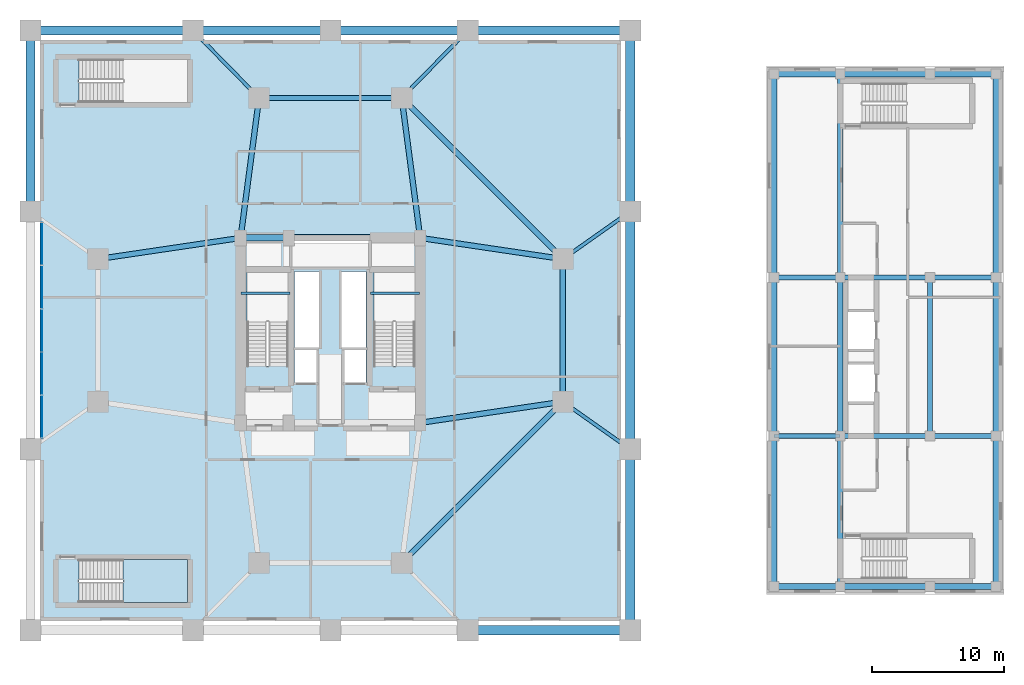
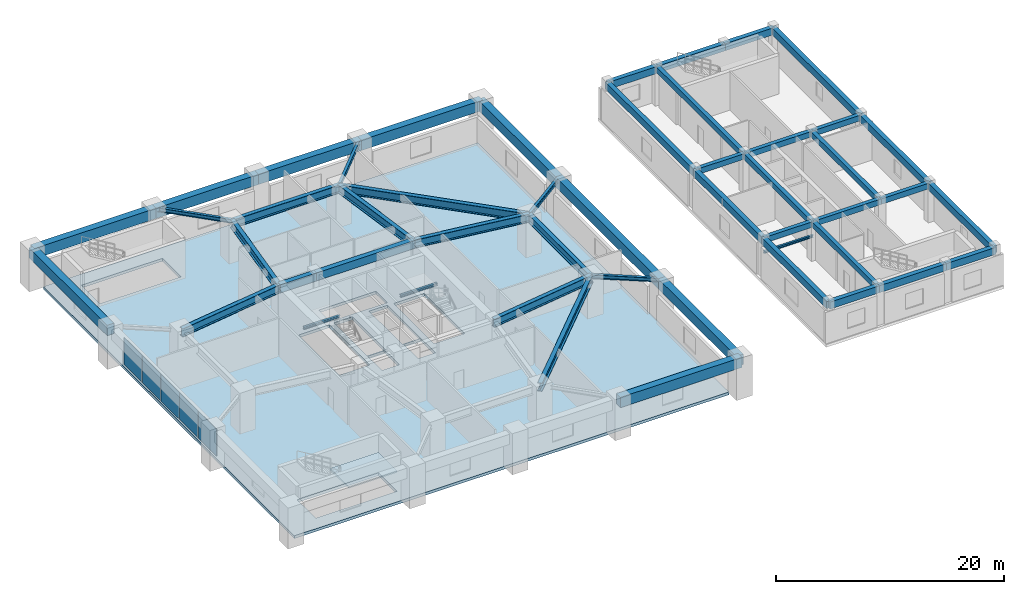
# One storey, part 7 of 16: 49 beams, 5 plates, 2 slabs, 2 elements without a shape of their own.
"""IFC4 building model written with IfcOpenShell, lengths in metres."""

from ifc_helpers import new_model, si_unit, direction, frame, origin, origin_2d, place, context, subcontext, project, spatial, polyline, rectangle, i_section, outline, extrude, source, transform, mapped, material, layer, layer_set, material_profile, profile_set, type_object, element, aggregate, save


model = new_model("IFC4")

# Units and contexts
model_context = context("Model", 3, precision=1e-05, world=origin(), true_north=direction((0.0, 1.0)))
body_context = subcontext(model_context, "Body", "Model", "MODEL_VIEW")
ifc_project = project(units=[si_unit("LENGTHUNIT", "METRE"), si_unit("AREAUNIT", "SQUARE_METRE"), si_unit("VOLUMEUNIT", "CUBIC_METRE"), si_unit("PLANEANGLEUNIT", "RADIAN"), si_unit("MASSUNIT", "GRAM", prefix="KILO")], contexts=[model_context])

# Site, building, storey
site_placement = place(None, origin())
site = spatial("IfcSite", under=ifc_project, at=site_placement, CompositionType="ELEMENT")
building_placement = place(site_placement, origin())
building = spatial("IfcBuilding", under=site, at=building_placement, Name="Veraguas Prism Commons", CompositionType="ELEMENT")
storey_placement = place(building_placement, frame((0.0, 0.0, 14.0)))
storey = spatial("IfcBuildingStorey", under=building, at=storey_placement, Name="L03", CompositionType="ELEMENT", Elevation=14.0)

# Beams
ifc_material_1 = material(Name="Concrete C50/60", Category="concrete")
ifc_material_profile_1 = material_profile(ifc_material_1, rectangle(XDim=0.39990234375, YDim=0.60009765625, at=origin_2d()), Name="RC400X600")
ifc_profile_set_1 = profile_set([ifc_material_profile_1], Name="Concrete C50/60")
beam_type_1 = type_object("IfcBeamType", Name="Clinic Secondary Beam RC 400x600", PredefinedType="BEAM", material=ifc_profile_set_1)
beam_1_placement = place(storey_placement, frame((57.60009765625, 16.0, 3.800048828125), z_axis=(1.0, 0.0, 0.0), x_axis=(0.0, 1.0, 0.0)))
element("IfcBeam", 1, at=beam_1_placement, inside=storey, type_object=beam_type_1, Name="Health Centre Beam L03-HCX04", PredefinedType="BEAM", context=body_context, shape_type="SweptSolid", body=[
    extrude(rectangle(XDim=0.39990234375, YDim=0.60009765625, at=origin_2d()), origin(), (0.0, 0.0, 1.0), 5.0),
])
beam_2_placement = place(storey_placement, frame((62.60009765625, 16.0, 3.800048828125), z_axis=(1.0, 0.0, 0.0), x_axis=(0.0, 1.0, 0.0)))
element("IfcBeam", 2, at=beam_2_placement, inside=storey, type_object=beam_type_1, Name="Health Centre Beam L03-HCX05", PredefinedType="BEAM", context=body_context, shape_type="SweptSolid", body=[
    extrude(rectangle(XDim=0.39990234375, YDim=0.60009765625, at=origin_2d()), origin(), (0.0, 0.0, 1.0), 6.7998046875),
])
for number, where, z_axis, x_axis, name in (
    (3, (69.39990234375, 16.0, 3.800048828125), (1.0, 0.0, 0.0), (0.0, 1.0, 0.0), "Health Centre Beam L03-HCX06"),
    (4, (57.60009765625, 28.0, 3.800048828125), (1.0, 0.0, 0.0), (0.0, 1.0, 0.0), "Health Centre Beam L03-HCX07"),
):
    element("IfcBeam", number, at=place(storey_placement, frame(where, z_axis=z_axis, x_axis=x_axis)), inside=storey, type_object=beam_type_1, Name=name, PredefinedType="BEAM", context=body_context, shape_type="SweptSolid", body=[
        extrude(rectangle(XDim=0.39990234375, YDim=0.60009765625, at=origin_2d()), origin(), (0.0, 0.0, 1.0), 5.0),
    ])
beam_3_placement = place(storey_placement, frame((62.60009765625, 28.0, 3.800048828125), z_axis=(1.0, 0.0, 0.0), x_axis=(0.0, 1.0, 0.0)))
element("IfcBeam", 5, at=beam_3_placement, inside=storey, type_object=beam_type_1, Name="Health Centre Beam L03-HCX08", PredefinedType="BEAM", context=body_context, shape_type="SweptSolid", body=[
    extrude(rectangle(XDim=0.39990234375, YDim=0.60009765625, at=origin_2d()), origin(), (0.0, 0.0, 1.0), 6.7998046875),
])
beam_4_placement = place(storey_placement, frame((69.39990234375, 28.0, 3.800048828125), z_axis=(1.0, 0.0, 0.0), x_axis=(0.0, 1.0, 0.0)))
element("IfcBeam", 6, at=beam_4_placement, inside=storey, type_object=beam_type_1, Name="Health Centre Beam L03-HCX09", PredefinedType="BEAM", context=body_context, shape_type="SweptSolid", body=[
    extrude(rectangle(XDim=0.39990234375, YDim=0.60009765625, at=origin_2d()), origin(), (0.0, 0.0, 1.0), 5.0),
])
beam_5_placement = place(storey_placement, frame((62.60009765625, 4.60009765625, 3.800048828125), z_axis=(0.0, 1.0, 0.0), x_axis=(-1.0, 0.0, 0.0)))
element("IfcBeam", 7, at=beam_5_placement, inside=storey, type_object=beam_type_1, Name="Health Centre Beam L03-HCY16", PredefinedType="BEAM", context=body_context, shape_type="SweptSolid", body=[
    extrude(rectangle(XDim=0.39990234375, YDim=0.60009765625, at=origin_2d()), origin(), (0.0, 0.0, 1.0), 11.39990234375),
])
beam_6_placement = place(storey_placement, frame((62.60009765625, 16.0, 3.800048828125), z_axis=(0.0, 1.0, 0.0), x_axis=(-1.0, 0.0, 0.0)))
element("IfcBeam", 8, at=beam_6_placement, inside=storey, type_object=beam_type_1, Name="Health Centre Beam L03-HCY17", PredefinedType="BEAM", context=body_context, shape_type="SweptSolid", body=[
    extrude(rectangle(XDim=0.39990234375, YDim=0.60009765625, at=origin_2d()), origin(), (0.0, 0.0, 1.0), 12.0),
])
beam_7_placement = place(storey_placement, frame((62.60009765625, 28.0, 3.800048828125), z_axis=(0.0, 1.0, 0.0), x_axis=(-1.0, 0.0, 0.0)))
element("IfcBeam", 9, at=beam_7_placement, inside=storey, type_object=beam_type_1, Name="Health Centre Beam L03-HCY18", PredefinedType="BEAM", context=body_context, shape_type="SweptSolid", body=[
    extrude(rectangle(XDim=0.39990234375, YDim=0.60009765625, at=origin_2d()), origin(), (0.0, 0.0, 1.0), 15.39990234375),
])
beam_8_placement = place(storey_placement, frame((69.39990234375, 16.0, 3.800048828125), z_axis=(0.0, 1.0, 0.0), x_axis=(-1.0, 0.0, 0.0)))
element("IfcBeam", 10, at=beam_8_placement, inside=storey, type_object=beam_type_1, Name="Health Centre Beam L03-HCY20", PredefinedType="BEAM", context=body_context, shape_type="SweptSolid", body=[
    extrude(rectangle(XDim=0.39990234375, YDim=0.60009765625, at=origin_2d()), origin(), (0.0, 0.0, 1.0), 12.0),
])
ifc_material_2 = material(Name="Steel ASTM A992 Grade 50", Category="steel")
ifc_material_profile_2 = material_profile(ifc_material_2, i_section(OverallWidth=0.403076171875, OverallDepth=0.867919921875, WebThickness=0.02099609375, FlangeThickness=0.03564453125, at=origin_2d()), Name="W840X359")
ifc_profile_set_2 = profile_set([ifc_material_profile_2], Name="Steel ASTM A992 Grade 50")
beam_type_2 = type_object("IfcBeamType", Name="Concourse Primary Girder W840x359", PredefinedType="BEAM", material=ifc_profile_set_2)
for number, where, z_axis, x_axis, name in (
    (11, (41.60009765625, 18.60009765625, 3.666015625), (-0.989202261707, -0.146556765224, 0.0), (0.146556765224, -0.989202261707, 0.0), "Concourse Radial Girder L03-TMR01"),
    (12, (41.60009765625, 29.39990234375, 3.666015625), (-0.989202261707, 0.146556765224, 0.0), (-0.146556765224, -0.989202261707, 0.0), "Concourse Radial Girder L03-TMR02"),
):
    element("IfcBeam", number, at=place(storey_placement, frame(where, z_axis=z_axis, x_axis=x_axis)), inside=storey, type_object=beam_type_2, Name=name, PredefinedType="BEAM", context=body_context, shape_type="SweptSolid", body=[
        extrude(i_section(OverallWidth=0.403076171875, OverallDepth=0.867919921875, WebThickness=0.02099609375, FlangeThickness=0.03564453125, at=origin_2d()), origin(), (0.0, 0.0, 1.0), 10.91796875),
    ])
for number, where, z_axis, x_axis, name in (
    (13, (29.39990234375, 41.60009765625, 3.666015625), (0.130950648891, -0.991388888154, 0.0), (0.991388888154, 0.130950648891, 0.0), "Concourse Radial Girder L03-TMR03"),
    (14, (18.60009765625, 41.60009765625, 3.666015625), (-0.130950648891, -0.991388888154, 0.0), (0.991388888154, -0.130950648891, 0.0), "Concourse Radial Girder L03-TMR04"),
):
    element("IfcBeam", number, at=place(storey_placement, frame(where, z_axis=z_axis, x_axis=x_axis)), inside=storey, type_object=beam_type_2, Name=name, PredefinedType="BEAM", context=body_context, shape_type="SweptSolid", body=[
        extrude(i_section(OverallWidth=0.403076171875, OverallDepth=0.867919921875, WebThickness=0.02099609375, FlangeThickness=0.03564453125, at=origin_2d()), origin(), (0.0, 0.0, 1.0), 10.692138671875),
    ])
beam_9_placement = place(storey_placement, frame((6.39990234375, 29.39990234375, 3.666015625), z_axis=(0.989202261707, 0.146556765224, 0.0), x_axis=(-0.146556765224, 0.989202261707, 0.0)))
element("IfcBeam", 15, at=beam_9_placement, inside=storey, type_object=beam_type_2, Name="Concourse Radial Girder L03-TMR05", PredefinedType="BEAM", context=body_context, shape_type="SweptSolid", body=[
    extrude(i_section(OverallWidth=0.403076171875, OverallDepth=0.867919921875, WebThickness=0.02099609375, FlangeThickness=0.03564453125, at=origin_2d()), origin(), (0.0, 0.0, 1.0), 10.91796875),
])
beam_10_placement = place(storey_placement, frame((41.60009765625, 18.60009765625, 3.666015625), z_axis=(0.0, 1.0, 0.0), x_axis=(-1.0, 0.0, 0.0)))
element("IfcBeam", 16, at=beam_10_placement, inside=storey, type_object=beam_type_2, Name="Concourse Ring Girder L03-TMH01", PredefinedType="BEAM", context=body_context, shape_type="SweptSolid", body=[
    extrude(i_section(OverallWidth=0.403076171875, OverallDepth=0.867919921875, WebThickness=0.02099609375, FlangeThickness=0.03564453125, at=origin_2d()), origin(), (0.0, 0.0, 1.0), 10.7998046875),
])
beam_11_placement = place(storey_placement, frame((41.60009765625, 29.39990234375, 3.666015625), z_axis=(-0.707106781187, 0.707106781187, 0.0), x_axis=(-0.707106781187, -0.707106781187, 0.0)))
element("IfcBeam", 17, at=beam_11_placement, inside=storey, type_object=beam_type_2, Name="Concourse Ring Girder L03-TMH02", PredefinedType="BEAM", context=body_context, shape_type="SweptSolid", body=[
    extrude(i_section(OverallWidth=0.403076171875, OverallDepth=0.867919921875, WebThickness=0.02099609375, FlangeThickness=0.03564453125, at=origin_2d()), origin(), (0.0, 0.0, 1.0), 17.253662109375),
])
beam_12_placement = place(storey_placement, frame((29.39990234375, 41.60009765625, 3.666015625), z_axis=(-1.0, 0.0, 0.0), x_axis=(0.0, -1.0, 0.0)))
element("IfcBeam", 18, at=beam_12_placement, inside=storey, type_object=beam_type_2, Name="Concourse Ring Girder L03-TMH03", PredefinedType="BEAM", context=body_context, shape_type="SweptSolid", body=[
    extrude(i_section(OverallWidth=0.403076171875, OverallDepth=0.867919921875, WebThickness=0.02099609375, FlangeThickness=0.03564453125, at=origin_2d()), origin(), (0.0, 0.0, 1.0), 10.7998046875),
])
beam_13_placement = place(storey_placement, frame((29.39990234375, 6.39990234375, 3.666015625), z_axis=(0.707106781187, 0.707106781187, 0.0), x_axis=(-0.707106781187, 0.707106781187, 0.0)))
element("IfcBeam", 19, at=beam_13_placement, inside=storey, type_object=beam_type_2, Name="Concourse Ring Girder L03-TMH08", PredefinedType="BEAM", context=body_context, shape_type="SweptSolid", body=[
    extrude(i_section(OverallWidth=0.403076171875, OverallDepth=0.867919921875, WebThickness=0.02099609375, FlangeThickness=0.03564453125, at=origin_2d()), origin(), (0.0, 0.0, 1.0), 17.253662109375),
])
ifc_material_profile_3 = material_profile(ifc_material_1, rectangle(XDim=0.5, YDim=0.85009765625, at=origin_2d()), Name="RC500X850")
ifc_profile_set_3 = profile_set([ifc_material_profile_3], Name="Concrete C50/60")
beam_type_3 = type_object("IfcBeamType", Name="Core Coupling Beam RC 500x850", PredefinedType="BEAM", material=ifc_profile_set_3)
beam_14_placement = place(storey_placement, frame((17.199951171875, 31.0, 3.675048828125), z_axis=(1.0, 0.0, 0.0), x_axis=(0.0, 1.0, 0.0)))
element("IfcBeam", 20, at=beam_14_placement, inside=storey, type_object=beam_type_3, Name="Core Coupling Beam L03-CRN1", PredefinedType="BEAM", context=body_context, shape_type="SweptSolid", body=[
    extrude(rectangle(XDim=0.5, YDim=0.85009765625, at=origin_2d()), origin(), (0.0, 0.0, 1.0), 3.650146484375),
])
beam_15_placement = place(storey_placement, frame((20.85009765625, 31.0, 3.675048828125), z_axis=(1.0, 0.0, 0.0), x_axis=(0.0, 1.0, 0.0)))
element("IfcBeam", 21, at=beam_15_placement, inside=storey, type_object=beam_type_3, Name="Core Coupling Beam L03-CRN2", PredefinedType="BEAM", context=body_context, shape_type="SweptSolid", body=[
    extrude(rectangle(XDim=0.5, YDim=0.85009765625, at=origin_2d()), origin(), (0.0, 0.0, 1.0), 9.949951171875),
])
ifc_material_profile_4 = material_profile(ifc_material_2, i_section(OverallWidth=0.260986328125, OverallDepth=0.419921875, WebThickness=0.01171875, FlangeThickness=0.019287109375, at=origin_2d()), Name="W410X114")
ifc_profile_set_4 = profile_set([ifc_material_profile_4], Name="Steel ASTM A992 Grade 50")
beam_type_4 = type_object("IfcBeamType", Name="Lower Floor Joist W410x114", PredefinedType="JOIST", material=ifc_profile_set_4)
for number, where, z_axis, x_axis, name in (
    (22, (41.60009765625, 18.60009765625, 3.889892578125), (0.816952688962, -0.576704693927, 0.0), (0.576704693927, 0.816952688962, 0.0), "Podium Tie Beam L03-TMT01"),
    (23, (41.60009765625, 29.39990234375, 3.889892578125), (0.816952688962, 0.576704693927, 0.0), (-0.576704693927, 0.816952688962, 0.0), "Podium Tie Beam L03-TMT02"),
):
    element("IfcBeam", number, at=place(storey_placement, frame(where, z_axis=z_axis, x_axis=x_axis)), inside=storey, type_object=beam_type_4, Name=name, PredefinedType="JOIST", context=body_context, shape_type="SweptSolid", body=[
        extrude(i_section(OverallWidth=0.260986328125, OverallDepth=0.419921875, WebThickness=0.01171875, FlangeThickness=0.019287109375, at=origin_2d()), origin(), (0.0, 0.0, 1.0), 6.242431640625),
    ])
for number, where, z_axis, x_axis, name in (
    (24, (29.39990234375, 41.60009765625, 3.889892578125), (0.700081663946, 0.71406278702, 0.0), (-0.71406278702, 0.700081663946, 0.0), "Podium Tie Beam L03-TMT03"),
    (25, (18.60009765625, 41.60009765625, 3.889892578125), (-0.700081663946, 0.71406278702, 0.0), (-0.71406278702, -0.700081663946, 0.0), "Podium Tie Beam L03-TMT04"),
):
    element("IfcBeam", number, at=place(storey_placement, frame(where, z_axis=z_axis, x_axis=x_axis)), inside=storey, type_object=beam_type_4, Name=name, PredefinedType="JOIST", context=body_context, shape_type="SweptSolid", body=[
        extrude(i_section(OverallWidth=0.260986328125, OverallDepth=0.419921875, WebThickness=0.01171875, FlangeThickness=0.019287109375, at=origin_2d()), origin(), (0.0, 0.0, 1.0), 7.14208984375),
    ])
ifc_material_profile_5 = material_profile(ifc_material_1, rectangle(XDim=0.449951171875, YDim=0.75, at=origin_2d()), Name="RC450X750")
ifc_profile_set_5 = profile_set([ifc_material_profile_5], Name="Concrete C50/60")
beam_type_5 = type_object("IfcBeamType", Name="Perimeter Spandrel Upper RC 450x750", PredefinedType="SPANDREL", material=ifc_profile_set_5)
beam_16_placement = place(storey_placement, frame((57.60009765625, 4.60009765625, 3.72509765625), z_axis=(1.0, 0.0, 0.0), x_axis=(0.0, 1.0, 0.0)))
element("IfcBeam", 26, at=beam_16_placement, inside=storey, type_object=beam_type_5, Name="Health Centre Beam L03-HCX01", PredefinedType="SPANDREL", context=body_context, shape_type="SweptSolid", body=[
    extrude(rectangle(XDim=0.449951171875, YDim=0.75, at=origin_2d()), origin(), (0.0, 0.0, 1.0), 5.0),
])
beam_17_placement = place(storey_placement, frame((62.60009765625, 4.60009765625, 3.72509765625), z_axis=(1.0, 0.0, 0.0), x_axis=(0.0, 1.0, 0.0)))
element("IfcBeam", 27, at=beam_17_placement, inside=storey, type_object=beam_type_5, Name="Health Centre Beam L03-HCX02", PredefinedType="SPANDREL", context=body_context, shape_type="SweptSolid", body=[
    extrude(rectangle(XDim=0.449951171875, YDim=0.75, at=origin_2d()), origin(), (0.0, 0.0, 1.0), 6.7998046875),
])
for number, where, z_axis, x_axis, name in (
    (28, (69.39990234375, 4.60009765625, 3.72509765625), (1.0, 0.0, 0.0), (0.0, 1.0, 0.0), "Health Centre Beam L03-HCX03"),
    (29, (57.60009765625, 43.39990234375, 3.72509765625), (1.0, 0.0, 0.0), (0.0, 1.0, 0.0), "Health Centre Beam L03-HCX10"),
):
    element("IfcBeam", number, at=place(storey_placement, frame(where, z_axis=z_axis, x_axis=x_axis)), inside=storey, type_object=beam_type_5, Name=name, PredefinedType="SPANDREL", context=body_context, shape_type="SweptSolid", body=[
        extrude(rectangle(XDim=0.449951171875, YDim=0.75, at=origin_2d()), origin(), (0.0, 0.0, 1.0), 5.0),
    ])
beam_18_placement = place(storey_placement, frame((62.60009765625, 43.39990234375, 3.72509765625), z_axis=(1.0, 0.0, 0.0), x_axis=(0.0, 1.0, 0.0)))
element("IfcBeam", 30, at=beam_18_placement, inside=storey, type_object=beam_type_5, Name="Health Centre Beam L03-HCX11", PredefinedType="SPANDREL", context=body_context, shape_type="SweptSolid", body=[
    extrude(rectangle(XDim=0.449951171875, YDim=0.75, at=origin_2d()), origin(), (0.0, 0.0, 1.0), 6.7998046875),
])
beam_19_placement = place(storey_placement, frame((69.39990234375, 43.39990234375, 3.72509765625), z_axis=(1.0, 0.0, 0.0), x_axis=(0.0, 1.0, 0.0)))
element("IfcBeam", 31, at=beam_19_placement, inside=storey, type_object=beam_type_5, Name="Health Centre Beam L03-HCX12", PredefinedType="SPANDREL", context=body_context, shape_type="SweptSolid", body=[
    extrude(rectangle(XDim=0.449951171875, YDim=0.75, at=origin_2d()), origin(), (0.0, 0.0, 1.0), 5.0),
])
beam_20_placement = place(storey_placement, frame((57.60009765625, 4.60009765625, 3.72509765625), z_axis=(0.0, 1.0, 0.0), x_axis=(-1.0, 0.0, 0.0)))
element("IfcBeam", 32, at=beam_20_placement, inside=storey, type_object=beam_type_5, Name="Health Centre Beam L03-HCY13", PredefinedType="SPANDREL", context=body_context, shape_type="SweptSolid", body=[
    extrude(rectangle(XDim=0.449951171875, YDim=0.75, at=origin_2d()), origin(), (0.0, 0.0, 1.0), 11.39990234375),
])
beam_21_placement = place(storey_placement, frame((57.60009765625, 16.0, 3.72509765625), z_axis=(0.0, 1.0, 0.0), x_axis=(-1.0, 0.0, 0.0)))
element("IfcBeam", 33, at=beam_21_placement, inside=storey, type_object=beam_type_5, Name="Health Centre Beam L03-HCY14", PredefinedType="SPANDREL", context=body_context, shape_type="SweptSolid", body=[
    extrude(rectangle(XDim=0.449951171875, YDim=0.75, at=origin_2d()), origin(), (0.0, 0.0, 1.0), 12.0),
])
beam_22_placement = place(storey_placement, frame((57.60009765625, 28.0, 3.72509765625), z_axis=(0.0, 1.0, 0.0), x_axis=(-1.0, 0.0, 0.0)))
element("IfcBeam", 34, at=beam_22_placement, inside=storey, type_object=beam_type_5, Name="Health Centre Beam L03-HCY15", PredefinedType="SPANDREL", context=body_context, shape_type="SweptSolid", body=[
    extrude(rectangle(XDim=0.449951171875, YDim=0.75, at=origin_2d()), origin(), (0.0, 0.0, 1.0), 15.39990234375),
])
beam_23_placement = place(storey_placement, frame((74.39990234375, 4.60009765625, 3.72509765625), z_axis=(0.0, 1.0, 0.0), x_axis=(-1.0, 0.0, 0.0)))
element("IfcBeam", 35, at=beam_23_placement, inside=storey, type_object=beam_type_5, Name="Health Centre Beam L03-HCY22", PredefinedType="SPANDREL", context=body_context, shape_type="SweptSolid", body=[
    extrude(rectangle(XDim=0.449951171875, YDim=0.75, at=origin_2d()), origin(), (0.0, 0.0, 1.0), 11.39990234375),
])
beam_24_placement = place(storey_placement, frame((74.39990234375, 16.0, 3.72509765625), z_axis=(0.0, 1.0, 0.0), x_axis=(-1.0, 0.0, 0.0)))
element("IfcBeam", 36, at=beam_24_placement, inside=storey, type_object=beam_type_5, Name="Health Centre Beam L03-HCY23", PredefinedType="SPANDREL", context=body_context, shape_type="SweptSolid", body=[
    extrude(rectangle(XDim=0.449951171875, YDim=0.75, at=origin_2d()), origin(), (0.0, 0.0, 1.0), 12.0),
])
beam_25_placement = place(storey_placement, frame((74.39990234375, 28.0, 3.72509765625), z_axis=(0.0, 1.0, 0.0), x_axis=(-1.0, 0.0, 0.0)))
element("IfcBeam", 37, at=beam_25_placement, inside=storey, type_object=beam_type_5, Name="Health Centre Beam L03-HCY24", PredefinedType="SPANDREL", context=body_context, shape_type="SweptSolid", body=[
    extrude(rectangle(XDim=0.449951171875, YDim=0.75, at=origin_2d()), origin(), (0.0, 0.0, 1.0), 15.39990234375),
])
ifc_material_profile_6 = material_profile(ifc_material_1, rectangle(XDim=0.699951171875, YDim=1.10009765625, at=origin_2d()), Name="RC700X1100")
ifc_profile_set_6 = profile_set([ifc_material_profile_6], Name="Concrete C50/60")
beam_type_6 = type_object("IfcBeamType", Name="Podium Primary Girder RC 700x1100", PredefinedType="BEAM", material=ifc_profile_set_6)
beam_26_placement = place(storey_placement, frame((34.39990234375, 1.300048828125, 3.550048828125), z_axis=(1.0, 0.0, 0.0), x_axis=(0.0, 1.0, 0.0)))
element("IfcBeam", 38, at=beam_26_placement, inside=storey, type_object=beam_type_6, Name="Podium Perimeter Girder L03-PDR04", PredefinedType="BEAM", context=body_context, shape_type="SweptSolid", body=[
    extrude(rectangle(XDim=0.699951171875, YDim=1.10009765625, at=origin_2d()), origin(), (0.0, 0.0, 1.0), 12.300048828125),
])
beam_27_placement = place(storey_placement, frame((46.699951171875, 1.300048828125, 3.550048828125), z_axis=(0.0, 1.0, 0.0), x_axis=(-1.0, 0.0, 0.0)))
element("IfcBeam", 39, at=beam_27_placement, inside=storey, type_object=beam_type_6, Name="Podium Perimeter Girder L03-PDR05", PredefinedType="BEAM", context=body_context, shape_type="SweptSolid", body=[
    extrude(rectangle(XDim=0.699951171875, YDim=1.10009765625, at=origin_2d()), origin(), (0.0, 0.0, 1.0), 13.699951171875),
])
beam_28_placement = place(storey_placement, frame((46.699951171875, 15.0, 3.550048828125), z_axis=(0.0, 1.0, 0.0), x_axis=(-1.0, 0.0, 0.0)))
element("IfcBeam", 40, at=beam_28_placement, inside=storey, type_object=beam_type_6, Name="Podium Perimeter Girder L03-PDR06", PredefinedType="BEAM", context=body_context, shape_type="SweptSolid", body=[
    extrude(rectangle(XDim=0.699951171875, YDim=1.10009765625, at=origin_2d()), origin(), (0.0, 0.0, 1.0), 18.0),
])
beam_29_placement = place(storey_placement, frame((46.699951171875, 33.0, 3.550048828125), z_axis=(0.0, 1.0, 0.0), x_axis=(-1.0, 0.0, 0.0)))
element("IfcBeam", 41, at=beam_29_placement, inside=storey, type_object=beam_type_6, Name="Podium Perimeter Girder L03-PDR07", PredefinedType="BEAM", context=body_context, shape_type="SweptSolid", body=[
    extrude(rectangle(XDim=0.699951171875, YDim=1.10009765625, at=origin_2d()), origin(), (0.0, 0.0, 1.0), 13.699951171875),
])
beam_30_placement = place(storey_placement, frame((46.699951171875, 46.699951171875, 3.550048828125), z_axis=(-1.0, 0.0, 0.0), x_axis=(0.0, -1.0, 0.0)))
element("IfcBeam", 42, at=beam_30_placement, inside=storey, type_object=beam_type_6, Name="Podium Perimeter Girder L03-PDR08", PredefinedType="BEAM", context=body_context, shape_type="SweptSolid", body=[
    extrude(rectangle(XDim=0.699951171875, YDim=1.10009765625, at=origin_2d()), origin(), (0.0, 0.0, 1.0), 12.300048828125),
])
for number, where, z_axis, x_axis, name in (
    (43, (34.39990234375, 46.699951171875, 3.550048828125), (-1.0, 0.0, 0.0), (0.0, -1.0, 0.0), "Podium Perimeter Girder L03-PDR09"),
    (44, (24.0, 46.699951171875, 3.550048828125), (-1.0, 0.0, 0.0), (0.0, -1.0, 0.0), "Podium Perimeter Girder L03-PDR10"),
):
    element("IfcBeam", number, at=place(storey_placement, frame(where, z_axis=z_axis, x_axis=x_axis)), inside=storey, type_object=beam_type_6, Name=name, PredefinedType="BEAM", context=body_context, shape_type="SweptSolid", body=[
        extrude(rectangle(XDim=0.699951171875, YDim=1.10009765625, at=origin_2d()), origin(), (0.0, 0.0, 1.0), 10.39990234375),
    ])
beam_31_placement = place(storey_placement, frame((13.60009765625, 46.699951171875, 3.550048828125), z_axis=(-1.0, 0.0, 0.0), x_axis=(0.0, -1.0, 0.0)))
element("IfcBeam", 45, at=beam_31_placement, inside=storey, type_object=beam_type_6, Name="Podium Perimeter Girder L03-PDR11", PredefinedType="BEAM", context=body_context, shape_type="SweptSolid", body=[
    extrude(rectangle(XDim=0.699951171875, YDim=1.10009765625, at=origin_2d()), origin(), (0.0, 0.0, 1.0), 12.300048828125),
])
beam_32_placement = place(storey_placement, frame((1.300048828125, 46.699951171875, 3.550048828125), z_axis=(0.0, -1.0, 0.0), x_axis=(1.0, 0.0, 0.0)))
element("IfcBeam", 46, at=beam_32_placement, inside=storey, type_object=beam_type_6, Name="Podium Perimeter Girder L03-PDR12", PredefinedType="BEAM", context=body_context, shape_type="SweptSolid", body=[
    extrude(rectangle(XDim=0.699951171875, YDim=1.10009765625, at=origin_2d()), origin(), (0.0, 0.0, 1.0), 13.699951171875),
])
ifc_material_profile_7 = material_profile(ifc_material_2, i_section(OverallWidth=0.202880859375, OverallDepth=0.251953125, WebThickness=0.008056640625, FlangeThickness=0.013427734375, at=origin_2d()), Name="W250X58")
ifc_profile_set_7 = profile_set([ifc_material_profile_7], Name="Steel ASTM A992 Grade 50")
beam_type_7 = type_object("IfcBeamType", Name="Structural Opening Lintel W250x58", PredefinedType="LINTEL", material=ifc_profile_set_7)
for number, where, z_axis, x_axis, name in (
    (47, (17.25, 26.800048828125, 1.8740234375), (1.0, 0.0, 0.0), (0.0, 1.0, 0.0), "Stair ST-01 Half-Landing Support Beam L03-1"),
    (48, (27.050048828125, 26.800048828125, 1.8740234375), (1.0, 0.0, 0.0), (0.0, 1.0, 0.0), "Stair ST-02 Half-Landing Support Beam L03-1"),
):
    element("IfcBeam", number, at=place(storey_placement, frame(where, z_axis=z_axis, x_axis=x_axis)), inside=storey, type_object=beam_type_7, Name=name, PredefinedType="LINTEL", context=body_context, shape_type="SweptSolid", body=[
        extrude(i_section(OverallWidth=0.202880859375, OverallDepth=0.251953125, WebThickness=0.008056640625, FlangeThickness=0.013427734375, at=origin_2d()), origin(), (0.0, 0.0, 1.0), 3.699951171875),
    ])
beam_33_placement = place(storey_placement, frame((57.60009765625, 16.0, 2.424072265625), z_axis=(1.0, 0.0, 0.0), x_axis=(0.0, 1.0, 0.0)))
element("IfcBeam", 49, at=beam_33_placement, inside=storey, type_object=beam_type_7, Name="Clinic Opening Lintel Beam L03-LN01", PredefinedType="LINTEL", context=body_context, shape_type="SweptSolid", body=[
    extrude(i_section(OverallWidth=0.202880859375, OverallDepth=0.251953125, WebThickness=0.008056640625, FlangeThickness=0.013427734375, at=origin_2d()), origin(), (0.0, 0.0, 1.0), 5.0),
])

# Slab
ifc_material_3 = material(Name="Concrete C45/55", Category="concrete")
ifc_layer_1 = layer(ifc_material_3, 0.300048828125, Name="Podium Concourse and Clinic Slab RC 300", Category="concrete")
ifc_layer_set_1 = layer_set([ifc_layer_1], Name="Concrete C45/55")
slab_type_1 = type_object("IfcSlabType", Name="Podium Concourse and Clinic Slab RC 300", PredefinedType="FLOOR", material=ifc_layer_set_1)
slab_1_placement = place(storey_placement, frame((0.0, 0.0, -0.300048828125)))
element("IfcSlab", 50, at=slab_1_placement, inside=storey, type_object=slab_type_1, Name="Podium and Station Slab L03", PredefinedType="FLOOR", context=body_context, shape_type="SweptSolid", body=[
    extrude(outline(polyline([(2.0, 2.0), (46.0, 2.0), (46.0, 46.0), (2.0, 46.0), (2.0, 2.0)]), holes=[polyline([(20.800048828125, 21.31005859375), (20.800048828125, 28.39990234375), (17.68994140625, 28.39990234375), (17.68994140625, 21.31005859375), (20.800048828125, 21.31005859375)]), polyline([(30.39990234375, 21.31005859375), (30.39990234375, 28.39990234375), (27.2900390625, 28.39990234375), (27.2900390625, 21.31005859375), (30.39990234375, 21.31005859375)]), polyline([(4.97998046875, 3.39990234375), (13.199951171875, 3.39990234375), (13.199951171875, 6.64990234375), (4.97998046875, 6.64990234375), (4.97998046875, 3.39990234375)]), polyline([(4.97998046875, 41.260009765625), (13.199951171875, 41.260009765625), (13.199951171875, 44.510009765625), (4.97998046875, 44.510009765625), (4.97998046875, 41.260009765625)]), polyline([(21.300048828125, 22.64990234375), (23.14990234375, 22.64990234375), (23.14990234375, 28.449951171875), (21.300048828125, 28.449951171875), (21.300048828125, 22.64990234375)]), polyline([(24.85009765625, 22.64990234375), (26.699951171875, 22.64990234375), (26.699951171875, 28.449951171875), (24.85009765625, 28.449951171875), (24.85009765625, 22.64990234375)]), polyline([(21.10009765625, 28.800048828125), (26.89990234375, 28.800048828125), (26.89990234375, 30.800048828125), (21.10009765625, 30.800048828125), (21.10009765625, 28.800048828125)]), polyline([(21.300048828125, 20.050048828125), (23.050048828125, 20.050048828125), (23.050048828125, 22.550048828125), (21.300048828125, 22.550048828125), (21.300048828125, 20.050048828125)]), polyline([(24.949951171875, 20.050048828125), (26.699951171875, 20.050048828125), (26.699951171875, 22.550048828125), (24.949951171875, 22.550048828125), (24.949951171875, 20.050048828125)])]), origin(), (0.0, 0.0, 1.0), 0.300048828125),
])

# Stair, slab
ifc_material_4 = material(Name="Precast concrete C45/55", Category="concrete")
stair_type = type_object("IfcStairType", Name="Dogleg Core Stair 1550W 26R 11", PredefinedType="HALF_TURN_STAIR", material=ifc_material_4)
stair_placement = place(storey_placement, origin())
stair = element("IfcStair", 51, at=stair_placement, inside=storey, type_object=stair_type, Name="Protected Exit Stair ST-M1 L03", PredefinedType="HALF_TURN_STAIR")
ifc_layer_2 = layer(ifc_material_4, 0.199951171875, Name="Precast Stair and Ramp Landing Slab 200", Category="concrete")
ifc_layer_set_2 = layer_set([ifc_layer_2], Name="Precast concrete C45/55")
slab_type_2 = type_object("IfcSlabType", Name="Precast Stair and Ramp Landing Slab 200", PredefinedType="LANDING", material=ifc_layer_set_2)
slab_2_placement = place(storey_placement, frame((0.0, 0.0, 2.0)))
slab_2 = element("IfcSlab", 52, at=slab_2_placement, type_object=slab_type_2, Name="ST-11 Landing 1", PredefinedType="LANDING", context=body_context, shape_type="SweptSolid", body=[
    extrude(outline(polyline([(8.31005859375, 3.39990234375), (13.199951171875, 3.39990234375), (13.199951171875, 6.64990234375), (8.31005859375, 6.64990234375), (8.31005859375, 3.39990234375)])), origin(), (0.0, 0.0, 1.0), 0.199951171875),
])
aggregate(stair, [slab_2])

# Curtain wall, plates
ifc_material_5 = material(Name="Anodised aluminium EN AW-6063 T6", Category="aluminium")
ifc_layer_3 = layer(ifc_material_5, 0.199951171875, Name="Metro Concourse Structural Glazing", Category="aluminium")
ifc_layer_set_3 = layer_set([ifc_layer_3], Name="Anodised aluminium EN AW-6063 T6")
curtain_wall_type = type_object("IfcCurtainWallType", Name="Metro Concourse Structural Glazing", PredefinedType="NOTDEFINED", material=ifc_layer_set_3)
curtain_wall_placement = place(storey_placement, origin())
curtain_wall = element("IfcCurtainWall", 53, at=curtain_wall_placement, inside=storey, type_object=curtain_wall_type, Name="Via Espana Metro Concourse Curtain Wall L03-W02", PredefinedType="NOTDEFINED")
ifc_material_6 = material(Name="Laminated low-e glass", Category="glass")
ifc_layer_4 = layer(ifc_material_6, 0.031982421875, Name="Concourse Acoustic Triple Glazed Panel 32", Category="glass")
ifc_layer_set_4 = layer_set([ifc_layer_4], Name="Laminated low-e glass")
plate_type = type_object("IfcPlateType", Name="Concourse Acoustic Triple Glazed Panel 32", PredefinedType="CURTAIN_PANEL", material=ifc_layer_set_4)
shared_shape_1 = source(origin(), body_context, "Body", "SweptSolid", [
    extrude(rectangle(XDim=3.1826171875, YDim=0.031982421875, at=origin_2d()), origin(), (0.0, 0.0, 1.0), 2.8798828125),
])
plate_1_placement = place(storey_placement, frame((2.14990234375, 30.543701171875, 0.06005859375), z_axis=(0.0, 0.0, 1.0), x_axis=(0.0, -1.0, 0.0)))
plate_1 = element("IfcPlate", 54, at=plate_1_placement, type_object=plate_type, Name="CW-STN Panel 1.1", PredefinedType="CURTAIN_PANEL", context=body_context, shape_type="MappedRepresentation", body=[
    mapped(shared_shape_1, transform((0.0, 0.0, 0.0), scale=1.0)),
])
plate_2_placement = place(storey_placement, frame((2.14990234375, 17.456298828125, 0.06005859375), z_axis=(0.0, 0.0, 1.0), x_axis=(0.0, -1.0, 0.0)))
plate_2 = element("IfcPlate", 55, at=plate_2_placement, type_object=plate_type, Name="CW-STN Panel 5.1", PredefinedType="CURTAIN_PANEL", context=body_context, shape_type="MappedRepresentation", body=[
    mapped(shared_shape_1, transform((0.0, 0.0, 0.0), scale=1.0)),
])
shared_shape_2 = source(origin(), body_context, "Body", "SweptSolid", [
    extrude(rectangle(XDim=3.215087890625, YDim=0.031982421875, at=origin_2d()), origin(), (0.0, 0.0, 1.0), 2.8798828125),
])
plate_3_placement = place(storey_placement, frame((2.14990234375, 27.280029296875, 0.06005859375), z_axis=(0.0, 0.0, 1.0), x_axis=(0.0, -1.0, 0.0)))
plate_3 = element("IfcPlate", 56, at=plate_3_placement, type_object=plate_type, Name="CW-STN Panel 2.1", PredefinedType="CURTAIN_PANEL", context=body_context, shape_type="MappedRepresentation", body=[
    mapped(shared_shape_2, transform((0.0, 0.0, 0.0), scale=1.0)),
])
plate_4_placement = place(storey_placement, frame((2.14990234375, 24.0, 0.06005859375), z_axis=(0.0, 0.0, 1.0), x_axis=(0.0, -1.0, 0.0)))
plate_4 = element("IfcPlate", 57, at=plate_4_placement, type_object=plate_type, Name="CW-STN Panel 3.1", PredefinedType="CURTAIN_PANEL", context=body_context, shape_type="MappedRepresentation", body=[
    mapped(shared_shape_2, transform((0.0, 0.0, 0.0), scale=1.0)),
])
plate_5_placement = place(storey_placement, frame((2.14990234375, 20.719970703125, 0.06005859375), z_axis=(0.0, 0.0, 1.0), x_axis=(0.0, -1.0, 0.0)))
plate_5 = element("IfcPlate", 58, at=plate_5_placement, type_object=plate_type, Name="CW-STN Panel 4.1", PredefinedType="CURTAIN_PANEL", context=body_context, shape_type="MappedRepresentation", body=[
    mapped(shared_shape_2, transform((0.0, 0.0, 0.0), scale=1.0)),
])
aggregate(curtain_wall, [plate_1, plate_3, plate_4, plate_5, plate_2])

save(model, "model.ifc")
